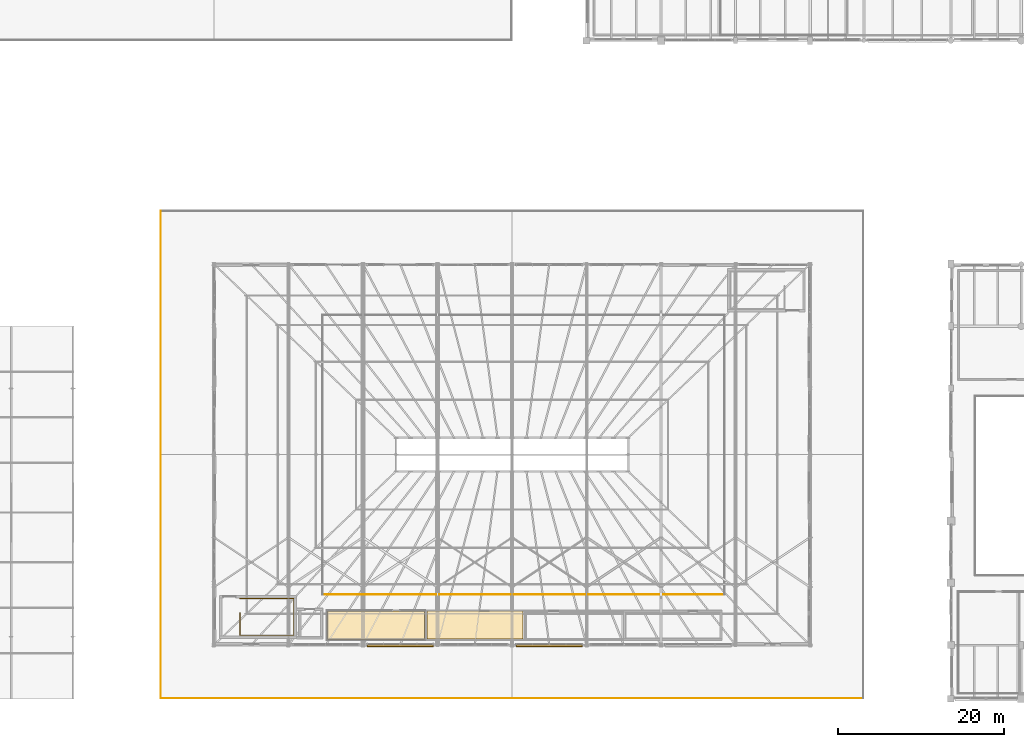
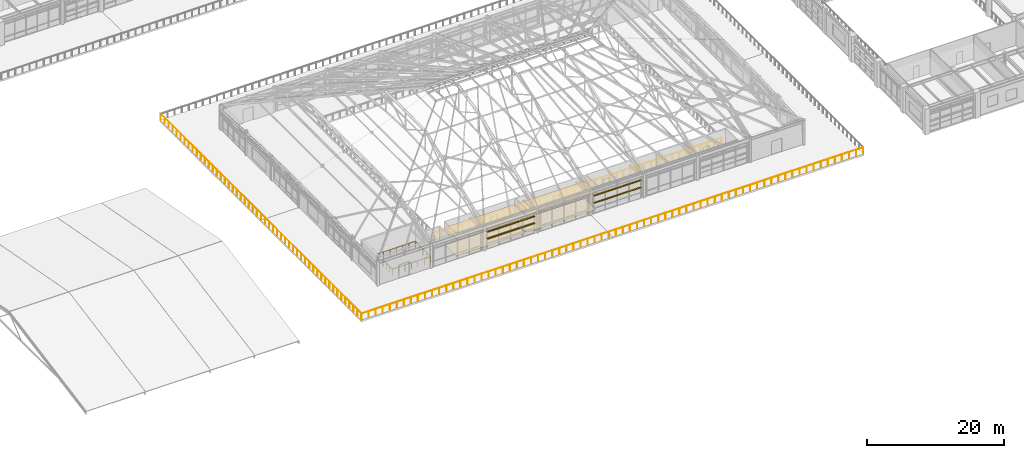
# One storey, part 163 of 168: 4 coverings, 4 railings, 4 shading devices.
"""IFC4 building model written with IfcOpenShell, lengths in metres."""

from ifc_helpers import new_model, si_unit, direction, frame, origin, origin_2d, place, context, subcontext, project, spatial, polyline, rectangle, circle, outline, extrude, material, layer, layer_set, type_object, element, save


model = new_model("IFC4")

# Units and contexts
model_context = context("Model", 3, precision=1e-05, world=origin(), true_north=direction((0.0, 1.0)))
body_context = subcontext(model_context, "Body", "Model", "MODEL_VIEW")
ifc_project = project(units=[si_unit("LENGTHUNIT", "METRE"), si_unit("AREAUNIT", "SQUARE_METRE"), si_unit("VOLUMEUNIT", "CUBIC_METRE"), si_unit("PLANEANGLEUNIT", "RADIAN"), si_unit("MASSUNIT", "GRAM", prefix="KILO"), si_unit("THERMODYNAMICTEMPERATUREUNIT", "KELVIN"), si_unit("POWERUNIT", "WATT")], contexts=[model_context])

# Site, building, storey
site_placement = place(None, origin())
site = spatial("IfcSite", under=ifc_project, at=site_placement, CompositionType="ELEMENT")
building_placement = place(site_placement, origin())
building = spatial("IfcBuilding", under=site, at=building_placement, Name="Tepalcoro Natatorium and Aquatics Centre", CompositionType="ELEMENT")
storey_placement = place(building_placement, frame((0.0, 0.0, 10.199951171875)))
storey = spatial("IfcBuildingStorey", under=building, at=storey_placement, Name="L02", CompositionType="ELEMENT", Elevation=10.199951171875)

# Railing
ifc_material_1 = material(Name="Bronze-Anodised Extruded Aluminium Alloy EN AW-6063 T6", Category="aluminium")
railing_type_1 = type_object("IfcRailingType", Name="BL_BRONZE_1100", PredefinedType="BALUSTRADE", material=ifc_material_1)
railing_1_placement = place(storey_placement, frame((66.1201171875, 19.1201171875, 0.0)))
element("IfcRailing", 1, at=railing_1_placement, inside=storey, type_object=railing_type_1, Name="V1 L02 Broadcast Catwalk Overlook Balustrade (S)", PredefinedType="BALUSTRADE", context=body_context, shape_type="SweptSolid", body=[
    extrude(circle(Radius=0.02392578125, at=origin_2d()), frame((0.0, 0.0, 1.076171875), z_axis=(1.0, 0.0, 0.0), x_axis=(0.0, 1.0, 0.0)), (0.0, 0.0, 1.0), 48.559814453125),
    extrude(circle(Radius=0.02099609375, at=origin_2d()), origin(), (0.0, 0.0, 1.0), 1.052001953125),
    extrude(circle(Radius=0.02099609375, at=origin_2d()), frame((1.184326171875, 0.0, 0.0)), (0.0, 0.0, 1.0), 1.052001953125),
    extrude(circle(Radius=0.02099609375, at=origin_2d()), frame((2.36865234375, 0.0, 0.0)), (0.0, 0.0, 1.0), 1.052001953125),
    extrude(circle(Radius=0.02099609375, at=origin_2d()), frame((3.55322265625, 0.0, 0.0)), (0.0, 0.0, 1.0), 1.052001953125),
    extrude(circle(Radius=0.02099609375, at=origin_2d()), frame((4.737548828125, 0.0, 0.0)), (0.0, 0.0, 1.0), 1.052001953125),
    extrude(circle(Radius=0.02099609375, at=origin_2d()), frame((5.921875, 0.0, 0.0)), (0.0, 0.0, 1.0), 1.052001953125),
    extrude(circle(Radius=0.02099609375, at=origin_2d()), frame((7.106201171875, 0.0, 0.0)), (0.0, 0.0, 1.0), 1.052001953125),
    extrude(circle(Radius=0.02099609375, at=origin_2d()), frame((8.290771484375, 0.0, 0.0)), (0.0, 0.0, 1.0), 1.052001953125),
    extrude(circle(Radius=0.02099609375, at=origin_2d()), frame((9.47509765625, 0.0, 0.0)), (0.0, 0.0, 1.0), 1.052001953125),
    extrude(circle(Radius=0.02099609375, at=origin_2d()), frame((10.659423828125, 0.0, 0.0)), (0.0, 0.0, 1.0), 1.052001953125),
    extrude(circle(Radius=0.02099609375, at=origin_2d()), frame((11.84375, 0.0, 0.0)), (0.0, 0.0, 1.0), 1.052001953125),
    extrude(circle(Radius=0.02099609375, at=origin_2d()), frame((13.0283203125, 0.0, 0.0)), (0.0, 0.0, 1.0), 1.052001953125),
    extrude(circle(Radius=0.02099609375, at=origin_2d()), frame((14.212646484375, 0.0, 0.0)), (0.0, 0.0, 1.0), 1.052001953125),
    extrude(circle(Radius=0.02099609375, at=origin_2d()), frame((15.39697265625, 0.0, 0.0)), (0.0, 0.0, 1.0), 1.052001953125),
    extrude(circle(Radius=0.02099609375, at=origin_2d()), frame((16.581298828125, 0.0, 0.0)), (0.0, 0.0, 1.0), 1.052001953125),
    extrude(circle(Radius=0.02099609375, at=origin_2d()), frame((17.765869140625, 0.0, 0.0)), (0.0, 0.0, 1.0), 1.052001953125),
    extrude(circle(Radius=0.02099609375, at=origin_2d()), frame((18.9501953125, 0.0, 0.0)), (0.0, 0.0, 1.0), 1.052001953125),
    extrude(circle(Radius=0.02099609375, at=origin_2d()), frame((20.134521484375, 0.0, 0.0)), (0.0, 0.0, 1.0), 1.052001953125),
    extrude(circle(Radius=0.02099609375, at=origin_2d()), frame((21.31884765625, 0.0, 0.0)), (0.0, 0.0, 1.0), 1.052001953125),
    extrude(circle(Radius=0.02099609375, at=origin_2d()), frame((22.50341796875, 0.0, 0.0)), (0.0, 0.0, 1.0), 1.052001953125),
    extrude(circle(Radius=0.02099609375, at=origin_2d()), frame((23.687744140625, 0.0, 0.0)), (0.0, 0.0, 1.0), 1.052001953125),
    extrude(circle(Radius=0.02099609375, at=origin_2d()), frame((24.8720703125, 0.0, 0.0)), (0.0, 0.0, 1.0), 1.052001953125),
    extrude(circle(Radius=0.02099609375, at=origin_2d()), frame((26.056396484375, 0.0, 0.0)), (0.0, 0.0, 1.0), 1.052001953125),
    extrude(circle(Radius=0.02099609375, at=origin_2d()), frame((27.240966796875, 0.0, 0.0)), (0.0, 0.0, 1.0), 1.052001953125),
    extrude(circle(Radius=0.02099609375, at=origin_2d()), frame((28.42529296875, 0.0, 0.0)), (0.0, 0.0, 1.0), 1.052001953125),
    extrude(circle(Radius=0.02099609375, at=origin_2d()), frame((29.609619140625, 0.0, 0.0)), (0.0, 0.0, 1.0), 1.052001953125),
    extrude(circle(Radius=0.02099609375, at=origin_2d()), frame((30.7939453125, 0.0, 0.0)), (0.0, 0.0, 1.0), 1.052001953125),
    extrude(circle(Radius=0.02099609375, at=origin_2d()), frame((31.978515625, 0.0, 0.0)), (0.0, 0.0, 1.0), 1.052001953125),
    extrude(circle(Radius=0.02099609375, at=origin_2d()), frame((33.162841796875, 0.0, 0.0)), (0.0, 0.0, 1.0), 1.052001953125),
    extrude(circle(Radius=0.02099609375, at=origin_2d()), frame((34.34716796875, 0.0, 0.0)), (0.0, 0.0, 1.0), 1.052001953125),
    extrude(circle(Radius=0.02099609375, at=origin_2d()), frame((35.531494140625, 0.0, 0.0)), (0.0, 0.0, 1.0), 1.052001953125),
    extrude(circle(Radius=0.02099609375, at=origin_2d()), frame((36.716064453125, 0.0, 0.0)), (0.0, 0.0, 1.0), 1.052001953125),
    extrude(circle(Radius=0.02099609375, at=origin_2d()), frame((37.900390625, 0.0, 0.0)), (0.0, 0.0, 1.0), 1.052001953125),
    extrude(circle(Radius=0.02099609375, at=origin_2d()), frame((39.084716796875, 0.0, 0.0)), (0.0, 0.0, 1.0), 1.052001953125),
    extrude(circle(Radius=0.02099609375, at=origin_2d()), frame((40.26904296875, 0.0, 0.0)), (0.0, 0.0, 1.0), 1.052001953125),
    extrude(circle(Radius=0.02099609375, at=origin_2d()), frame((41.45361328125, 0.0, 0.0)), (0.0, 0.0, 1.0), 1.052001953125),
    extrude(circle(Radius=0.02099609375, at=origin_2d()), frame((42.637939453125, 0.0, 0.0)), (0.0, 0.0, 1.0), 1.052001953125),
    extrude(circle(Radius=0.02099609375, at=origin_2d()), frame((43.822265625, 0.0, 0.0)), (0.0, 0.0, 1.0), 1.052001953125),
    extrude(circle(Radius=0.02099609375, at=origin_2d()), frame((45.006591796875, 0.0, 0.0)), (0.0, 0.0, 1.0), 1.052001953125),
    extrude(circle(Radius=0.02099609375, at=origin_2d()), frame((46.191162109375, 0.0, 0.0)), (0.0, 0.0, 1.0), 1.052001953125),
    extrude(circle(Radius=0.02099609375, at=origin_2d()), frame((47.37548828125, 0.0, 0.0)), (0.0, 0.0, 1.0), 1.052001953125),
    extrude(circle(Radius=0.02099609375, at=origin_2d()), frame((48.559814453125, 0.0, 0.0)), (0.0, 0.0, 1.0), 1.052001953125),
])

# Coverings
ifc_material_2 = material(Name="Moisture-Resistant Acoustic Gypsum Drywall on Cold-Formed Metal Studs")
ifc_layer_1 = layer(ifc_material_2, 0.030029296875)
ifc_layer_set_1 = layer_set([ifc_layer_1], Name="Moisture-Resistant Acoustic Gypsum Drywall on Cold-Formed Metal Studs")
covering_type_1 = type_object("IfcCoveringType", Name="CL_GYPSUM_30", PredefinedType="CEILING", material=ifc_layer_set_1)
covering_1_placement = place(storey_placement, frame((0.0, 0.0, 3.050048828125)))
element("IfcCovering", 2, at=covering_1_placement, inside=storey, type_object=covering_type_1, Name="Host Broadcaster World-Feed Commentary Booths 1-4 Suspended Ceiling", PredefinedType="CEILING", context=body_context, shape_type="SweptSolid", body=[
    extrude(outline(polyline([(66.72998046875, 13.68994140625), (66.72998046875, 17.110107421875), (78.419921875, 17.110107421875), (78.419921875, 13.68994140625), (66.72998046875, 13.68994140625)])), origin(), (0.0, 0.0, 1.0), 0.030029296875),
])
ifc_material_3 = material(Name="Perforated Corrosion-Resistant Acoustic Aluminium Baffle Ceiling", Category="aluminium")
ifc_layer_2 = layer(ifc_material_3, 0.0400390625)
ifc_layer_set_2 = layer_set([ifc_layer_2], Name="Perforated Corrosion-Resistant Acoustic Aluminium Baffle Ceiling")
covering_type_2 = type_object("IfcCoveringType", Name="CL_PERF_AL_40", PredefinedType="CEILING", material=ifc_layer_set_2)
covering_2_placement = place(storey_placement, frame((0.0, 0.0, 3.050048828125)))
element("IfcCovering", 3, at=covering_2_placement, inside=storey, type_object=covering_type_2, Name="Radio & International TV Commentary Booths 5-8 Suspended Ceiling", PredefinedType="CEILING", context=body_context, shape_type="SweptSolid", body=[
    extrude(outline(polyline([(78.705078125, 13.715087890625), (78.705078125, 17.0849609375), (90.344970703125, 17.0849609375), (90.344970703125, 13.715087890625), (78.705078125, 13.715087890625)])), origin(), (0.0, 0.0, 1.0), 0.0400390625),
])
ifc_material_4 = material(Name="Shock-Absorbing Vulcanised Athletic Rubber Flooring")
ifc_layer_3 = layer(ifc_material_4, 0.010009765625)
ifc_layer_set_3 = layer_set([ifc_layer_3], Name="Shock-Absorbing Vulcanised Athletic Rubber Flooring")
covering_type_3 = type_object("IfcCoveringType", Name="FL_CARPET_10", PredefinedType="FLOORING", material=ifc_layer_set_3)
covering_3_placement = place(storey_placement, origin())
element("IfcCovering", 4, at=covering_3_placement, inside=storey, type_object=covering_type_3, Name="Radio & International TV Commentary Booths 5-8 Floor Finish", PredefinedType="FLOORING", context=body_context, shape_type="SweptSolid", body=[
    extrude(outline(polyline([(78.705078125, 13.715087890625), (78.705078125, 17.0849609375), (90.344970703125, 17.0849609375), (90.344970703125, 13.715087890625), (78.705078125, 13.715087890625)])), origin(), (0.0, 0.0, 1.0), 0.010009765625),
])
ifc_material_5 = material(Name="Chemical-Resistant Quartz-Broadcast Epoxy Flooring")
ifc_layer_4 = layer(ifc_material_5, 0.008056640625)
ifc_layer_set_4 = layer_set([ifc_layer_4], Name="Chemical-Resistant Quartz-Broadcast Epoxy Flooring")
covering_type_4 = type_object("IfcCoveringType", Name="FL_EPOXY_8", PredefinedType="FLOORING", material=ifc_layer_set_4)
covering_4_placement = place(storey_placement, origin())
element("IfcCovering", 5, at=covering_4_placement, inside=storey, type_object=covering_type_4, Name="Host Broadcaster World-Feed Commentary Booths 1-4 Floor Finish", PredefinedType="FLOORING", context=body_context, shape_type="SweptSolid", body=[
    extrude(outline(polyline([(66.72998046875, 13.68994140625), (66.72998046875, 17.110107421875), (78.419921875, 17.110107421875), (78.419921875, 13.68994140625), (66.72998046875, 13.68994140625)])), origin(), (0.0, 0.0, 1.0), 0.008056640625),
])

# Railings
ifc_material_6 = material(Name="Marine-Grade Brushed Stainless Steel AISI 316L", Category="steel")
railing_type_2 = type_object("IfcRailingType", Name="RL_GLASS_1100", PredefinedType="GUARDRAIL", material=ifc_material_6)
railing_2_placement = place(storey_placement, frame((56.159912109375, 16.8798828125, 0.0)))
element("IfcRailing", 6, at=railing_2_placement, inside=storey, type_object=railing_type_2, Name="ST01 Top Floor Stairwell Guardrail (L02)", PredefinedType="GUARDRAIL", context=body_context, shape_type="SweptSolid", body=[
    extrude(circle(Radius=0.02392578125, at=origin_2d()), frame((0.0, 0.0, 1.09619140625), z_axis=(0.0, -1.0, 0.0), x_axis=(1.0, 0.0, 0.0)), (0.0, 0.0, 1.0), 2.699951171875),
    extrude(circle(Radius=0.02392578125, at=origin_2d()), frame((0.0, -2.699951171875, 1.09619140625), z_axis=(1.0, 0.0, 0.0), x_axis=(0.0, 1.0, 0.0)), (0.0, 0.0, 1.0), 6.47998046875),
    extrude(circle(Radius=0.02392578125, at=origin_2d()), frame((6.47998046875, -2.699951171875, 1.09619140625), z_axis=(0.0, 1.0, 0.0), x_axis=(-1.0, 0.0, 0.0)), (0.0, 0.0, 1.0), 4.440185546875),
    extrude(circle(Radius=0.02392578125, at=origin_2d()), frame((6.47998046875, 1.740234375, 1.09619140625), z_axis=(-1.0, 0.0, 0.0), x_axis=(0.0, -1.0, 0.0)), (0.0, 0.0, 1.0), 6.47998046875),
    extrude(circle(Radius=0.02099609375, at=origin_2d()), origin(), (0.0, 0.0, 1.0), 1.072021484375),
    extrude(circle(Radius=0.02099609375, at=origin_2d()), frame((0.0, -0.89990234375, 0.0)), (0.0, 0.0, 1.0), 1.072021484375),
    extrude(circle(Radius=0.02099609375, at=origin_2d()), frame((0.0, -1.800048828125, 0.0)), (0.0, 0.0, 1.0), 1.072021484375),
    extrude(circle(Radius=0.02099609375, at=origin_2d()), frame((0.0, -2.699951171875, 0.0)), (0.0, 0.0, 1.0), 1.072021484375),
    extrude(circle(Radius=0.02099609375, at=origin_2d()), frame((1.080078125, -2.699951171875, 0.0)), (0.0, 0.0, 1.0), 1.072021484375),
    extrude(circle(Radius=0.02099609375, at=origin_2d()), frame((2.159912109375, -2.699951171875, 0.0)), (0.0, 0.0, 1.0), 1.072021484375),
    extrude(circle(Radius=0.02099609375, at=origin_2d()), frame((3.239990234375, -2.699951171875, 0.0)), (0.0, 0.0, 1.0), 1.072021484375),
    extrude(circle(Radius=0.02099609375, at=origin_2d()), frame((4.320068359375, -2.699951171875, 0.0)), (0.0, 0.0, 1.0), 1.072021484375),
    extrude(circle(Radius=0.02099609375, at=origin_2d()), frame((5.39990234375, -2.699951171875, 0.0)), (0.0, 0.0, 1.0), 1.072021484375),
    extrude(circle(Radius=0.02099609375, at=origin_2d()), frame((6.47998046875, -2.699951171875, 0.0)), (0.0, 0.0, 1.0), 1.072021484375),
    extrude(circle(Radius=0.02099609375, at=origin_2d()), frame((6.47998046875, -1.58984375, 0.0)), (0.0, 0.0, 1.0), 1.072021484375),
    extrude(circle(Radius=0.02099609375, at=origin_2d()), frame((6.47998046875, -0.47998046875, 0.0)), (0.0, 0.0, 1.0), 1.072021484375),
    extrude(circle(Radius=0.02099609375, at=origin_2d()), frame((6.47998046875, 0.630126953125, 0.0)), (0.0, 0.0, 1.0), 1.072021484375),
    extrude(circle(Radius=0.02099609375, at=origin_2d()), frame((6.47998046875, 1.740234375, 0.0)), (0.0, 0.0, 1.0), 1.072021484375),
    extrude(circle(Radius=0.02099609375, at=origin_2d()), frame((5.39990234375, 1.740234375, 0.0)), (0.0, 0.0, 1.0), 1.072021484375),
    extrude(circle(Radius=0.02099609375, at=origin_2d()), frame((4.320068359375, 1.740234375, 0.0)), (0.0, 0.0, 1.0), 1.072021484375),
    extrude(circle(Radius=0.02099609375, at=origin_2d()), frame((3.239990234375, 1.740234375, 0.0)), (0.0, 0.0, 1.0), 1.072021484375),
    extrude(circle(Radius=0.02099609375, at=origin_2d()), frame((2.159912109375, 1.740234375, 0.0)), (0.0, 0.0, 1.0), 1.072021484375),
    extrude(circle(Radius=0.02099609375, at=origin_2d()), frame((1.080078125, 1.740234375, 0.0)), (0.0, 0.0, 1.0), 1.072021484375),
    extrude(circle(Radius=0.02099609375, at=origin_2d()), frame((0.0, 1.740234375, 0.0)), (0.0, 0.0, 1.0), 1.072021484375),
])
railing_type_3 = type_object("IfcRailingType", Name="RL_PERF_1100", PredefinedType="GUARDRAIL", material=ifc_material_6)
railing_3_placement = place(storey_placement, frame((46.580078125, 6.580078125, 0.0)))
element("IfcRailing", 7, at=railing_3_placement, inside=storey, type_object=railing_type_3, Name="V1 L02 Planted Terrace Perimeter Guardrail (S)", PredefinedType="GUARDRAIL", context=body_context, shape_type="SweptSolid", body=[
    extrude(circle(Radius=0.02392578125, at=origin_2d()), frame((0.0, 0.0, 1.11572265625), z_axis=(1.0, 0.0, 0.0), x_axis=(0.0, 1.0, 0.0)), (0.0, 0.0, 1.0), 84.83984375),
    extrude(circle(Radius=0.02099609375, at=origin_2d()), origin(), (0.0, 0.0, 1.0), 1.091796875),
    extrude(circle(Radius=0.02099609375, at=origin_2d()), frame((1.19482421875, 0.0, 0.0)), (0.0, 0.0, 1.0), 1.091796875),
    extrude(circle(Radius=0.02099609375, at=origin_2d()), frame((2.389892578125, 0.0, 0.0)), (0.0, 0.0, 1.0), 1.091796875),
    extrude(circle(Radius=0.02099609375, at=origin_2d()), frame((3.584716796875, 0.0, 0.0)), (0.0, 0.0, 1.0), 1.091796875),
    extrude(circle(Radius=0.02099609375, at=origin_2d()), frame((4.77978515625, 0.0, 0.0)), (0.0, 0.0, 1.0), 1.091796875),
    extrude(circle(Radius=0.02099609375, at=origin_2d()), frame((5.974609375, 0.0, 0.0)), (0.0, 0.0, 1.0), 1.091796875),
    extrude(circle(Radius=0.02099609375, at=origin_2d()), frame((7.169677734375, 0.0, 0.0)), (0.0, 0.0, 1.0), 1.091796875),
    extrude(circle(Radius=0.02099609375, at=origin_2d()), frame((8.364501953125, 0.0, 0.0)), (0.0, 0.0, 1.0), 1.091796875),
    extrude(circle(Radius=0.02099609375, at=origin_2d()), frame((9.559326171875, 0.0, 0.0)), (0.0, 0.0, 1.0), 1.091796875),
    extrude(circle(Radius=0.02099609375, at=origin_2d()), frame((10.75439453125, 0.0, 0.0)), (0.0, 0.0, 1.0), 1.091796875),
    extrude(circle(Radius=0.02099609375, at=origin_2d()), frame((11.94921875, 0.0, 0.0)), (0.0, 0.0, 1.0), 1.091796875),
    extrude(circle(Radius=0.02099609375, at=origin_2d()), frame((13.144287109375, 0.0, 0.0)), (0.0, 0.0, 1.0), 1.091796875),
    extrude(circle(Radius=0.02099609375, at=origin_2d()), frame((14.339111328125, 0.0, 0.0)), (0.0, 0.0, 1.0), 1.091796875),
    extrude(circle(Radius=0.02099609375, at=origin_2d()), frame((15.533935546875, 0.0, 0.0)), (0.0, 0.0, 1.0), 1.091796875),
    extrude(circle(Radius=0.02099609375, at=origin_2d()), frame((16.72900390625, 0.0, 0.0)), (0.0, 0.0, 1.0), 1.091796875),
    extrude(circle(Radius=0.02099609375, at=origin_2d()), frame((17.923828125, 0.0, 0.0)), (0.0, 0.0, 1.0), 1.091796875),
    extrude(circle(Radius=0.02099609375, at=origin_2d()), frame((19.118896484375, 0.0, 0.0)), (0.0, 0.0, 1.0), 1.091796875),
    extrude(circle(Radius=0.02099609375, at=origin_2d()), frame((20.313720703125, 0.0, 0.0)), (0.0, 0.0, 1.0), 1.091796875),
    extrude(circle(Radius=0.02099609375, at=origin_2d()), frame((21.5087890625, 0.0, 0.0)), (0.0, 0.0, 1.0), 1.091796875),
    extrude(circle(Radius=0.02099609375, at=origin_2d()), frame((22.70361328125, 0.0, 0.0)), (0.0, 0.0, 1.0), 1.091796875),
    extrude(circle(Radius=0.02099609375, at=origin_2d()), frame((23.8984375, 0.0, 0.0)), (0.0, 0.0, 1.0), 1.091796875),
    extrude(circle(Radius=0.02099609375, at=origin_2d()), frame((25.093505859375, 0.0, 0.0)), (0.0, 0.0, 1.0), 1.091796875),
    extrude(circle(Radius=0.02099609375, at=origin_2d()), frame((26.288330078125, 0.0, 0.0)), (0.0, 0.0, 1.0), 1.091796875),
    extrude(circle(Radius=0.02099609375, at=origin_2d()), frame((27.4833984375, 0.0, 0.0)), (0.0, 0.0, 1.0), 1.091796875),
    extrude(circle(Radius=0.02099609375, at=origin_2d()), frame((28.67822265625, 0.0, 0.0)), (0.0, 0.0, 1.0), 1.091796875),
    extrude(circle(Radius=0.02099609375, at=origin_2d()), frame((29.873291015625, 0.0, 0.0)), (0.0, 0.0, 1.0), 1.091796875),
    extrude(circle(Radius=0.02099609375, at=origin_2d()), frame((31.068115234375, 0.0, 0.0)), (0.0, 0.0, 1.0), 1.091796875),
    extrude(circle(Radius=0.02099609375, at=origin_2d()), frame((32.262939453125, 0.0, 0.0)), (0.0, 0.0, 1.0), 1.091796875),
    extrude(circle(Radius=0.02099609375, at=origin_2d()), frame((33.4580078125, 0.0, 0.0)), (0.0, 0.0, 1.0), 1.091796875),
    extrude(circle(Radius=0.02099609375, at=origin_2d()), frame((34.65283203125, 0.0, 0.0)), (0.0, 0.0, 1.0), 1.091796875),
    extrude(circle(Radius=0.02099609375, at=origin_2d()), frame((35.847900390625, 0.0, 0.0)), (0.0, 0.0, 1.0), 1.091796875),
    extrude(circle(Radius=0.02099609375, at=origin_2d()), frame((37.042724609375, 0.0, 0.0)), (0.0, 0.0, 1.0), 1.091796875),
    extrude(circle(Radius=0.02099609375, at=origin_2d()), frame((38.23779296875, 0.0, 0.0)), (0.0, 0.0, 1.0), 1.091796875),
    extrude(circle(Radius=0.02099609375, at=origin_2d()), frame((39.4326171875, 0.0, 0.0)), (0.0, 0.0, 1.0), 1.091796875),
    extrude(circle(Radius=0.02099609375, at=origin_2d()), frame((40.62744140625, 0.0, 0.0)), (0.0, 0.0, 1.0), 1.091796875),
    extrude(circle(Radius=0.02099609375, at=origin_2d()), frame((41.822509765625, 0.0, 0.0)), (0.0, 0.0, 1.0), 1.091796875),
    extrude(circle(Radius=0.02099609375, at=origin_2d()), frame((43.017333984375, 0.0, 0.0)), (0.0, 0.0, 1.0), 1.091796875),
    extrude(circle(Radius=0.02099609375, at=origin_2d()), frame((44.21240234375, 0.0, 0.0)), (0.0, 0.0, 1.0), 1.091796875),
    extrude(circle(Radius=0.02099609375, at=origin_2d()), frame((45.4072265625, 0.0, 0.0)), (0.0, 0.0, 1.0), 1.091796875),
    extrude(circle(Radius=0.02099609375, at=origin_2d()), frame((46.60205078125, 0.0, 0.0)), (0.0, 0.0, 1.0), 1.091796875),
    extrude(circle(Radius=0.02099609375, at=origin_2d()), frame((47.797119140625, 0.0, 0.0)), (0.0, 0.0, 1.0), 1.091796875),
    extrude(circle(Radius=0.02099609375, at=origin_2d()), frame((48.991943359375, 0.0, 0.0)), (0.0, 0.0, 1.0), 1.091796875),
    extrude(circle(Radius=0.02099609375, at=origin_2d()), frame((50.18701171875, 0.0, 0.0)), (0.0, 0.0, 1.0), 1.091796875),
    extrude(circle(Radius=0.02099609375, at=origin_2d()), frame((51.3818359375, 0.0, 0.0)), (0.0, 0.0, 1.0), 1.091796875),
    extrude(circle(Radius=0.02099609375, at=origin_2d()), frame((52.576904296875, 0.0, 0.0)), (0.0, 0.0, 1.0), 1.091796875),
    extrude(circle(Radius=0.02099609375, at=origin_2d()), frame((53.771728515625, 0.0, 0.0)), (0.0, 0.0, 1.0), 1.091796875),
    extrude(circle(Radius=0.02099609375, at=origin_2d()), frame((54.966552734375, 0.0, 0.0)), (0.0, 0.0, 1.0), 1.091796875),
    extrude(circle(Radius=0.02099609375, at=origin_2d()), frame((56.16162109375, 0.0, 0.0)), (0.0, 0.0, 1.0), 1.091796875),
    extrude(circle(Radius=0.02099609375, at=origin_2d()), frame((57.3564453125, 0.0, 0.0)), (0.0, 0.0, 1.0), 1.091796875),
    extrude(circle(Radius=0.02099609375, at=origin_2d()), frame((58.551513671875, 0.0, 0.0)), (0.0, 0.0, 1.0), 1.091796875),
    extrude(circle(Radius=0.02099609375, at=origin_2d()), frame((59.746337890625, 0.0, 0.0)), (0.0, 0.0, 1.0), 1.091796875),
    extrude(circle(Radius=0.02099609375, at=origin_2d()), frame((60.94140625, 0.0, 0.0)), (0.0, 0.0, 1.0), 1.091796875),
    extrude(circle(Radius=0.02099609375, at=origin_2d()), frame((62.13623046875, 0.0, 0.0)), (0.0, 0.0, 1.0), 1.091796875),
    extrude(circle(Radius=0.02099609375, at=origin_2d()), frame((63.3310546875, 0.0, 0.0)), (0.0, 0.0, 1.0), 1.091796875),
    extrude(circle(Radius=0.02099609375, at=origin_2d()), frame((64.526123046875, 0.0, 0.0)), (0.0, 0.0, 1.0), 1.091796875),
    extrude(circle(Radius=0.02099609375, at=origin_2d()), frame((65.720947265625, 0.0, 0.0)), (0.0, 0.0, 1.0), 1.091796875),
    extrude(circle(Radius=0.02099609375, at=origin_2d()), frame((66.916015625, 0.0, 0.0)), (0.0, 0.0, 1.0), 1.091796875),
    extrude(circle(Radius=0.02099609375, at=origin_2d()), frame((68.11083984375, 0.0, 0.0)), (0.0, 0.0, 1.0), 1.091796875),
    extrude(circle(Radius=0.02099609375, at=origin_2d()), frame((69.305908203125, 0.0, 0.0)), (0.0, 0.0, 1.0), 1.091796875),
    extrude(circle(Radius=0.02099609375, at=origin_2d()), frame((70.500732421875, 0.0, 0.0)), (0.0, 0.0, 1.0), 1.091796875),
    extrude(circle(Radius=0.02099609375, at=origin_2d()), frame((71.695556640625, 0.0, 0.0)), (0.0, 0.0, 1.0), 1.091796875),
    extrude(circle(Radius=0.02099609375, at=origin_2d()), frame((72.890625, 0.0, 0.0)), (0.0, 0.0, 1.0), 1.091796875),
    extrude(circle(Radius=0.02099609375, at=origin_2d()), frame((74.08544921875, 0.0, 0.0)), (0.0, 0.0, 1.0), 1.091796875),
    extrude(circle(Radius=0.02099609375, at=origin_2d()), frame((75.280517578125, 0.0, 0.0)), (0.0, 0.0, 1.0), 1.091796875),
    extrude(circle(Radius=0.02099609375, at=origin_2d()), frame((76.475341796875, 0.0, 0.0)), (0.0, 0.0, 1.0), 1.091796875),
    extrude(circle(Radius=0.02099609375, at=origin_2d()), frame((77.670166015625, 0.0, 0.0)), (0.0, 0.0, 1.0), 1.091796875),
    extrude(circle(Radius=0.02099609375, at=origin_2d()), frame((78.865234375, 0.0, 0.0)), (0.0, 0.0, 1.0), 1.091796875),
    extrude(circle(Radius=0.02099609375, at=origin_2d()), frame((80.06005859375, 0.0, 0.0)), (0.0, 0.0, 1.0), 1.091796875),
    extrude(circle(Radius=0.02099609375, at=origin_2d()), frame((81.255126953125, 0.0, 0.0)), (0.0, 0.0, 1.0), 1.091796875),
    extrude(circle(Radius=0.02099609375, at=origin_2d()), frame((82.449951171875, 0.0, 0.0)), (0.0, 0.0, 1.0), 1.091796875),
    extrude(circle(Radius=0.02099609375, at=origin_2d()), frame((83.64501953125, 0.0, 0.0)), (0.0, 0.0, 1.0), 1.091796875),
    extrude(circle(Radius=0.02099609375, at=origin_2d()), frame((84.83984375, 0.0, 0.0)), (0.0, 0.0, 1.0), 1.091796875),
])
railing_4_placement = place(storey_placement, frame((46.580078125, 65.419921875, 0.0)))
element("IfcRailing", 8, at=railing_4_placement, inside=storey, type_object=railing_type_3, Name="V1 L02 Planted Terrace Perimeter Guardrail (W)", PredefinedType="GUARDRAIL", context=body_context, shape_type="SweptSolid", body=[
    extrude(circle(Radius=0.02392578125, at=origin_2d()), frame((0.0, 0.0, 1.11572265625), z_axis=(0.0, -1.0, 0.0), x_axis=(1.0, 0.0, 0.0)), (0.0, 0.0, 1.0), 58.83984375),
    extrude(circle(Radius=0.02099609375, at=origin_2d()), origin(), (0.0, 0.0, 1.0), 1.091796875),
    extrude(circle(Radius=0.02099609375, at=origin_2d()), frame((0.0, -1.1767578125, 0.0)), (0.0, 0.0, 1.0), 1.091796875),
    extrude(circle(Radius=0.02099609375, at=origin_2d()), frame((0.0, -2.353515625, 0.0)), (0.0, 0.0, 1.0), 1.091796875),
    extrude(circle(Radius=0.02099609375, at=origin_2d()), frame((0.0, -3.5302734375, 0.0)), (0.0, 0.0, 1.0), 1.091796875),
    extrude(circle(Radius=0.02099609375, at=origin_2d()), frame((0.0, -4.707275390625, 0.0)), (0.0, 0.0, 1.0), 1.091796875),
    extrude(circle(Radius=0.02099609375, at=origin_2d()), frame((0.0, -5.884033203125, 0.0)), (0.0, 0.0, 1.0), 1.091796875),
    extrude(circle(Radius=0.02099609375, at=origin_2d()), frame((0.0, -7.060791015625, 0.0)), (0.0, 0.0, 1.0), 1.091796875),
    extrude(circle(Radius=0.02099609375, at=origin_2d()), frame((0.0, -8.237548828125, 0.0)), (0.0, 0.0, 1.0), 1.091796875),
    extrude(circle(Radius=0.02099609375, at=origin_2d()), frame((0.0, -9.414306640625, 0.0)), (0.0, 0.0, 1.0), 1.091796875),
    extrude(circle(Radius=0.02099609375, at=origin_2d()), frame((0.0, -10.591064453125, 0.0)), (0.0, 0.0, 1.0), 1.091796875),
    extrude(circle(Radius=0.02099609375, at=origin_2d()), frame((0.0, -11.76806640625, 0.0)), (0.0, 0.0, 1.0), 1.091796875),
    extrude(circle(Radius=0.02099609375, at=origin_2d()), frame((0.0, -12.94482421875, 0.0)), (0.0, 0.0, 1.0), 1.091796875),
    extrude(circle(Radius=0.02099609375, at=origin_2d()), frame((0.0, -14.12158203125, 0.0)), (0.0, 0.0, 1.0), 1.091796875),
    extrude(circle(Radius=0.02099609375, at=origin_2d()), frame((0.0, -15.29833984375, 0.0)), (0.0, 0.0, 1.0), 1.091796875),
    extrude(circle(Radius=0.02099609375, at=origin_2d()), frame((0.0, -16.47509765625, 0.0)), (0.0, 0.0, 1.0), 1.091796875),
    extrude(circle(Radius=0.02099609375, at=origin_2d()), frame((0.0, -17.65185546875, 0.0)), (0.0, 0.0, 1.0), 1.091796875),
    extrude(circle(Radius=0.02099609375, at=origin_2d()), frame((0.0, -18.828857421875, 0.0)), (0.0, 0.0, 1.0), 1.091796875),
    extrude(circle(Radius=0.02099609375, at=origin_2d()), frame((0.0, -20.005615234375, 0.0)), (0.0, 0.0, 1.0), 1.091796875),
    extrude(circle(Radius=0.02099609375, at=origin_2d()), frame((0.0, -21.182373046875, 0.0)), (0.0, 0.0, 1.0), 1.091796875),
    extrude(circle(Radius=0.02099609375, at=origin_2d()), frame((0.0, -22.359130859375, 0.0)), (0.0, 0.0, 1.0), 1.091796875),
    extrude(circle(Radius=0.02099609375, at=origin_2d()), frame((0.0, -23.535888671875, 0.0)), (0.0, 0.0, 1.0), 1.091796875),
    extrude(circle(Radius=0.02099609375, at=origin_2d()), frame((0.0, -24.712646484375, 0.0)), (0.0, 0.0, 1.0), 1.091796875),
    extrude(circle(Radius=0.02099609375, at=origin_2d()), frame((0.0, -25.8896484375, 0.0)), (0.0, 0.0, 1.0), 1.091796875),
    extrude(circle(Radius=0.02099609375, at=origin_2d()), frame((0.0, -27.06640625, 0.0)), (0.0, 0.0, 1.0), 1.091796875),
    extrude(circle(Radius=0.02099609375, at=origin_2d()), frame((0.0, -28.2431640625, 0.0)), (0.0, 0.0, 1.0), 1.091796875),
    extrude(circle(Radius=0.02099609375, at=origin_2d()), frame((0.0, -29.419921875, 0.0)), (0.0, 0.0, 1.0), 1.091796875),
    extrude(circle(Radius=0.02099609375, at=origin_2d()), frame((0.0, -30.5966796875, 0.0)), (0.0, 0.0, 1.0), 1.091796875),
    extrude(circle(Radius=0.02099609375, at=origin_2d()), frame((0.0, -31.7734375, 0.0)), (0.0, 0.0, 1.0), 1.091796875),
    extrude(circle(Radius=0.02099609375, at=origin_2d()), frame((0.0, -32.9501953125, 0.0)), (0.0, 0.0, 1.0), 1.091796875),
    extrude(circle(Radius=0.02099609375, at=origin_2d()), frame((0.0, -34.127197265625, 0.0)), (0.0, 0.0, 1.0), 1.091796875),
    extrude(circle(Radius=0.02099609375, at=origin_2d()), frame((0.0, -35.303955078125, 0.0)), (0.0, 0.0, 1.0), 1.091796875),
    extrude(circle(Radius=0.02099609375, at=origin_2d()), frame((0.0, -36.480712890625, 0.0)), (0.0, 0.0, 1.0), 1.091796875),
    extrude(circle(Radius=0.02099609375, at=origin_2d()), frame((0.0, -37.657470703125, 0.0)), (0.0, 0.0, 1.0), 1.091796875),
    extrude(circle(Radius=0.02099609375, at=origin_2d()), frame((0.0, -38.834228515625, 0.0)), (0.0, 0.0, 1.0), 1.091796875),
    extrude(circle(Radius=0.02099609375, at=origin_2d()), frame((0.0, -40.010986328125, 0.0)), (0.0, 0.0, 1.0), 1.091796875),
    extrude(circle(Radius=0.02099609375, at=origin_2d()), frame((0.0, -41.18798828125, 0.0)), (0.0, 0.0, 1.0), 1.091796875),
    extrude(circle(Radius=0.02099609375, at=origin_2d()), frame((0.0, -42.36474609375, 0.0)), (0.0, 0.0, 1.0), 1.091796875),
    extrude(circle(Radius=0.02099609375, at=origin_2d()), frame((0.0, -43.54150390625, 0.0)), (0.0, 0.0, 1.0), 1.091796875),
    extrude(circle(Radius=0.02099609375, at=origin_2d()), frame((0.0, -44.71826171875, 0.0)), (0.0, 0.0, 1.0), 1.091796875),
    extrude(circle(Radius=0.02099609375, at=origin_2d()), frame((0.0, -45.89501953125, 0.0)), (0.0, 0.0, 1.0), 1.091796875),
    extrude(circle(Radius=0.02099609375, at=origin_2d()), frame((0.0, -47.07177734375, 0.0)), (0.0, 0.0, 1.0), 1.091796875),
    extrude(circle(Radius=0.02099609375, at=origin_2d()), frame((0.0, -48.248779296875, 0.0)), (0.0, 0.0, 1.0), 1.091796875),
    extrude(circle(Radius=0.02099609375, at=origin_2d()), frame((0.0, -49.425537109375, 0.0)), (0.0, 0.0, 1.0), 1.091796875),
    extrude(circle(Radius=0.02099609375, at=origin_2d()), frame((0.0, -50.602294921875, 0.0)), (0.0, 0.0, 1.0), 1.091796875),
    extrude(circle(Radius=0.02099609375, at=origin_2d()), frame((0.0, -51.779052734375, 0.0)), (0.0, 0.0, 1.0), 1.091796875),
    extrude(circle(Radius=0.02099609375, at=origin_2d()), frame((0.0, -52.955810546875, 0.0)), (0.0, 0.0, 1.0), 1.091796875),
    extrude(circle(Radius=0.02099609375, at=origin_2d()), frame((0.0, -54.132568359375, 0.0)), (0.0, 0.0, 1.0), 1.091796875),
    extrude(circle(Radius=0.02099609375, at=origin_2d()), frame((0.0, -55.3095703125, 0.0)), (0.0, 0.0, 1.0), 1.091796875),
    extrude(circle(Radius=0.02099609375, at=origin_2d()), frame((0.0, -56.486328125, 0.0)), (0.0, 0.0, 1.0), 1.091796875),
    extrude(circle(Radius=0.02099609375, at=origin_2d()), frame((0.0, -57.6630859375, 0.0)), (0.0, 0.0, 1.0), 1.091796875),
    extrude(circle(Radius=0.02099609375, at=origin_2d()), frame((0.0, -58.83984375, 0.0)), (0.0, 0.0, 1.0), 1.091796875),
])

# Shading devices
shading_device_type = type_object("IfcShadingDeviceType", Name="SHD_LOUVRE_AL", PredefinedType="JALOUSIE", material=ifc_material_1)
for number, where, z_axis, x_axis, name in (
    (9, (75.5, 12.936279296875, 1.890869140625), (0.0, 0.0, 1.0), (1.0, 0.0, 0.0), "Solar Shading Brise-Soleil SHD_LOUVRE_AL"),
    (10, (75.5, 12.936279296875, 3.117919921875), (0.0, 0.0, 1.0), (1.0, 0.0, 0.0), "Solar Shading Brise-Soleil SHD_LOUVRE_AL"),
    (11, (93.5, 12.936279296875, 1.971923828125), (0.0, 0.0, 1.0), (1.0, 0.0, 0.0), "Solar Shading Brise-Soleil SHD_LOUVRE_AL"),
    (12, (93.5, 12.936279296875, 3.27001953125), (0.0, 0.0, 1.0), (1.0, 0.0, 0.0), "Solar Shading Brise-Soleil SHD_LOUVRE_AL"),
):
    element("IfcShadingDevice", number, at=place(storey_placement, frame(where, z_axis=z_axis, x_axis=x_axis)), inside=storey, type_object=shading_device_type, Name=name, PredefinedType="JALOUSIE", context=body_context, shape_type="SweptSolid", body=[
        extrude(rectangle(XDim=7.9599609375, YDim=0.239990234375, at=origin_2d()), origin(), (0.0, 0.0, 1.0), 0.080078125),
    ])

save(model, "model.ifc")
